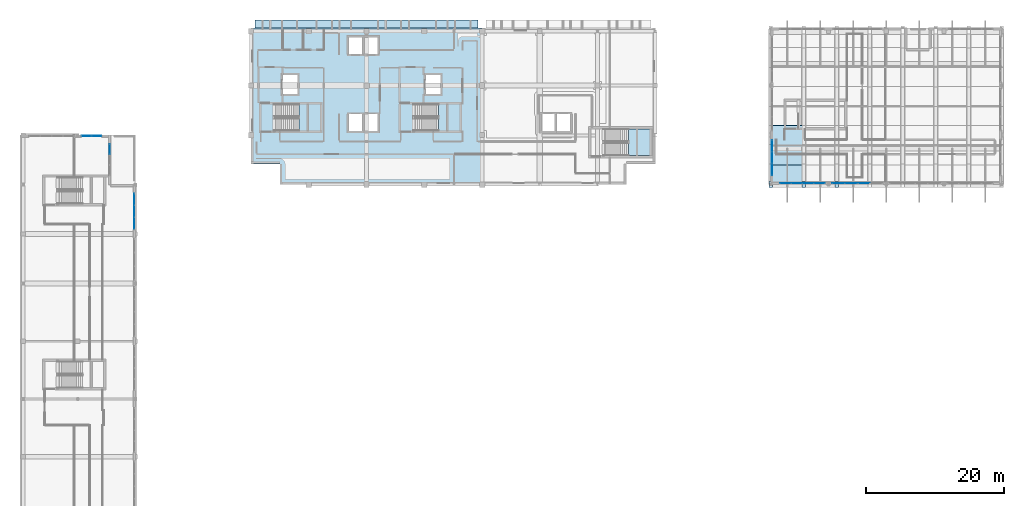
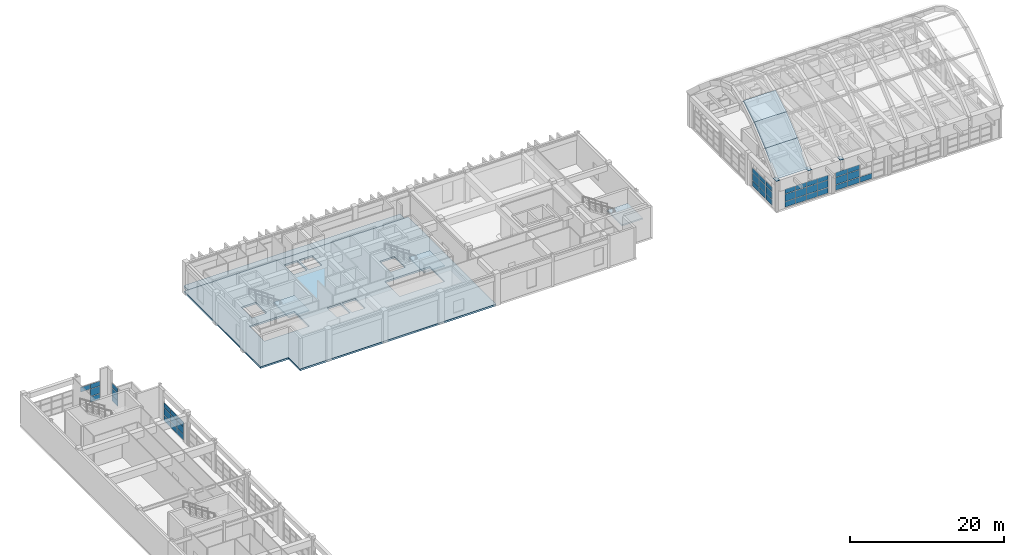
# One storey, part 57 of 78: 47 plates, 8 slabs, 9 elements without a shape of their own.
"""IFC4 building model written with IfcOpenShell, lengths in metres."""

from ifc_helpers import new_model, si_unit, direction, frame, origin, origin_2d, place, context, subcontext, project, spatial, polyline, rectangle, outline, extrude, material, layer, layer_set, type_object, element, aggregate, save


model = new_model("IFC4")

# Units and contexts
model_context = context("Model", 3, precision=1e-05, world=origin(), true_north=direction((0.0, 1.0)))
body_context = subcontext(model_context, "Body", "Model", "MODEL_VIEW")
ifc_project = project(units=[si_unit("LENGTHUNIT", "METRE"), si_unit("AREAUNIT", "SQUARE_METRE"), si_unit("VOLUMEUNIT", "CUBIC_METRE"), si_unit("PLANEANGLEUNIT", "RADIAN"), si_unit("MASSUNIT", "GRAM", prefix="KILO")], contexts=[model_context])

# Site, building, storey
site_placement = place(None, origin())
site = spatial("IfcSite", under=ifc_project, at=site_placement, CompositionType="ELEMENT")
building_placement = place(site_placement, origin())
building = spatial("IfcBuilding", under=site, at=building_placement, Name="Quendrovan Civic Courthouse", CompositionType="ELEMENT")
storey_placement = place(building_placement, frame((0.0, 0.0, 20.39990234375)))
storey = spatial("IfcBuildingStorey", under=building, at=storey_placement, Name="L05", CompositionType="ELEMENT", Elevation=20.39990234375)

# Curtain wall, plates
ifc_material_1 = material(Name="Bronze anodised aluminium and low-E glass", Category="aluminium")
ifc_layer_1 = layer(ifc_material_1, 0.179931640625, Name="Bronze anodised aluminium and low-E glass")
ifc_layer_set_1 = layer_set([ifc_layer_1], Name="Bronze anodised aluminium and low-E glass")
curtain_wall_type_1 = type_object("IfcCurtainWallType", Name="CW-U46x30", PredefinedType="USERDEFINED", material=ifc_layer_set_1)
curtain_wall_1_placement = place(storey_placement, origin())
curtain_wall_1 = element("IfcCurtainWall", 1, at=curtain_wall_1_placement, inside=storey, type_object=curtain_wall_type_1, Name="L05 Unitised Hurricane Curtain Wall CW-180", ObjectType="UNITISED CURTAIN WALL", PredefinedType="USERDEFINED")
ifc_material_2 = material(Name="Laminated hurricane-impact low-E glass", Category="glass")
ifc_layer_2 = layer(ifc_material_2, 0.028076171875, Name="Laminated hurricane-impact low-E glass")
ifc_layer_set_2 = layer_set([ifc_layer_2], Name="Laminated hurricane-impact low-E glass")
plate_type_1 = type_object("IfcPlateType", Name="CW-PNL-1", PredefinedType="CURTAIN_PANEL", material=ifc_layer_set_2)
plate_1_placement = place(storey_placement, frame((13.034912109375, 92.7158203125, 0.0703125), z_axis=(0.0, 0.0, 1.0), x_axis=(0.0, -1.0, 0.0)))
plate_1 = element("IfcPlate", 2, at=plate_1_placement, type_object=plate_type_1, Name="CW-180 panel 1.1", PredefinedType="CURTAIN_PANEL", context=body_context, shape_type="SweptSolid", body=[
    extrude(rectangle(XDim=1.42822265625, YDim=0.028076171875, at=origin_2d()), origin(), (0.0, 0.0, 1.0), 0.844970703125),
])
plate_2_placement = place(storey_placement, frame((13.034912109375, 92.7158203125, 0.985107421875), z_axis=(0.0, 0.0, 1.0), x_axis=(0.0, -1.0, 0.0)))
plate_2 = element("IfcPlate", 3, at=plate_2_placement, type_object=plate_type_1, Name="CW-180 panel 1.2", PredefinedType="CURTAIN_PANEL", context=body_context, shape_type="SweptSolid", body=[
    extrude(rectangle(XDim=1.42822265625, YDim=0.028076171875, at=origin_2d()), origin(), (0.0, 0.0, 1.0), 1.1298828125),
])
plate_3_placement = place(storey_placement, frame((13.034912109375, 92.7158203125, 2.18505859375), z_axis=(0.0, 0.0, 1.0), x_axis=(0.0, -1.0, 0.0)))
plate_3 = element("IfcPlate", 4, at=plate_3_placement, type_object=plate_type_1, Name="CW-180 panel 1.3", PredefinedType="CURTAIN_PANEL", context=body_context, shape_type="SweptSolid", body=[
    extrude(rectangle(XDim=1.42822265625, YDim=0.028076171875, at=origin_2d()), origin(), (0.0, 0.0, 1.0), 0.735107421875),
])
aggregate(curtain_wall_1, [plate_1, plate_2, plate_3])

ifc_layer_3 = layer(ifc_material_1, 0.179931640625, Name="Bronze anodised aluminium and low-E glass")
ifc_layer_set_3 = layer_set([ifc_layer_3], Name="Bronze anodised aluminium and low-E glass")
curtain_wall_type_2 = type_object("IfcCurtainWallType", Name="CW-U74x30", PredefinedType="USERDEFINED", material=ifc_layer_set_3)
curtain_wall_2_placement = place(storey_placement, origin())
curtain_wall_2 = element("IfcCurtainWall", 5, at=curtain_wall_2_placement, inside=storey, type_object=curtain_wall_type_2, Name="L05 Unitised Hurricane Curtain Wall CW-200", ObjectType="UNITISED CURTAIN WALL", PredefinedType="USERDEFINED")
plate_4_placement = place(storey_placement, frame((122.72509765625, 87.764892578125, 0.0703125), z_axis=(0.0, 0.0, 1.0), x_axis=(-1.0, 0.0, 0.0)))
plate_4 = element("IfcPlate", 6, at=plate_4_placement, type_object=plate_type_1, Name="CW-200 panel 2.1", PredefinedType="CURTAIN_PANEL", context=body_context, shape_type="SweptSolid", body=[
    extrude(rectangle(XDim=1.780029296875, YDim=0.028076171875, at=origin_2d()), origin(), (0.0, 0.0, 1.0), 0.844970703125),
])
plate_5_placement = place(storey_placement, frame((120.875, 87.764892578125, 0.0703125), z_axis=(0.0, 0.0, 1.0), x_axis=(-1.0, 0.0, 0.0)))
plate_5 = element("IfcPlate", 7, at=plate_5_placement, type_object=plate_type_1, Name="CW-200 panel 3.1", PredefinedType="CURTAIN_PANEL", context=body_context, shape_type="SweptSolid", body=[
    extrude(rectangle(XDim=1.780029296875, YDim=0.028076171875, at=origin_2d()), origin(), (0.0, 0.0, 1.0), 0.844970703125),
])
plate_6_placement = place(storey_placement, frame((120.875, 87.764892578125, 0.985107421875), z_axis=(0.0, 0.0, 1.0), x_axis=(-1.0, 0.0, 0.0)))
plate_6 = element("IfcPlate", 8, at=plate_6_placement, type_object=plate_type_1, Name="CW-200 panel 3.2", PredefinedType="CURTAIN_PANEL", context=body_context, shape_type="SweptSolid", body=[
    extrude(rectangle(XDim=1.780029296875, YDim=0.028076171875, at=origin_2d()), origin(), (0.0, 0.0, 1.0), 1.1298828125),
])
plate_7_placement = place(storey_placement, frame((120.875, 87.764892578125, 2.18505859375), z_axis=(0.0, 0.0, 1.0), x_axis=(-1.0, 0.0, 0.0)))
plate_7 = element("IfcPlate", 9, at=plate_7_placement, type_object=plate_type_1, Name="CW-200 panel 3.3", PredefinedType="CURTAIN_PANEL", context=body_context, shape_type="SweptSolid", body=[
    extrude(rectangle(XDim=1.780029296875, YDim=0.028076171875, at=origin_2d()), origin(), (0.0, 0.0, 1.0), 0.735107421875),
])
plate_8_placement = place(storey_placement, frame((119.04248046875, 87.764892578125, 0.0703125), z_axis=(0.0, 0.0, 1.0), x_axis=(-1.0, 0.0, 0.0)))
plate_8 = element("IfcPlate", 10, at=plate_8_placement, type_object=plate_type_1, Name="CW-200 panel 4.1", PredefinedType="CURTAIN_PANEL", context=body_context, shape_type="SweptSolid", body=[
    extrude(rectangle(XDim=1.7451171875, YDim=0.028076171875, at=origin_2d()), origin(), (0.0, 0.0, 1.0), 0.844970703125),
])
plate_9_placement = place(storey_placement, frame((119.04248046875, 87.764892578125, 0.985107421875), z_axis=(0.0, 0.0, 1.0), x_axis=(-1.0, 0.0, 0.0)))
plate_9 = element("IfcPlate", 11, at=plate_9_placement, type_object=plate_type_1, Name="CW-200 panel 4.2", PredefinedType="CURTAIN_PANEL", context=body_context, shape_type="SweptSolid", body=[
    extrude(rectangle(XDim=1.7451171875, YDim=0.028076171875, at=origin_2d()), origin(), (0.0, 0.0, 1.0), 1.1298828125),
])
plate_10_placement = place(storey_placement, frame((119.04248046875, 87.764892578125, 2.18505859375), z_axis=(0.0, 0.0, 1.0), x_axis=(-1.0, 0.0, 0.0)))
plate_10 = element("IfcPlate", 12, at=plate_10_placement, type_object=plate_type_1, Name="CW-200 panel 4.3", PredefinedType="CURTAIN_PANEL", context=body_context, shape_type="SweptSolid", body=[
    extrude(rectangle(XDim=1.7451171875, YDim=0.028076171875, at=origin_2d()), origin(), (0.0, 0.0, 1.0), 0.735107421875),
])
aggregate(curtain_wall_2, [plate_4, plate_5, plate_6, plate_7, plate_8, plate_9, plate_10])

ifc_layer_4 = layer(ifc_material_1, 0.179931640625, Name="Bronze anodised aluminium and low-E glass")
ifc_layer_set_4 = layer_set([ifc_layer_4], Name="Bronze anodised aluminium and low-E glass")
curtain_wall_type_3 = type_object("IfcCurtainWallType", Name="CW-U52x30", PredefinedType="USERDEFINED", material=ifc_layer_set_4)
curtain_wall_3_placement = place(storey_placement, origin())
curtain_wall_3 = element("IfcCurtainWall", 13, at=curtain_wall_3_placement, inside=storey, type_object=curtain_wall_type_3, Name="L05 Unitised Hurricane Curtain Wall CW-181", ObjectType="UNITISED CURTAIN WALL", PredefinedType="USERDEFINED")
ifc_layer_5 = layer(ifc_material_2, 0.031982421875, Name="Laminated hurricane-impact low-E glass")
ifc_layer_set_5 = layer_set([ifc_layer_5], Name="Laminated hurricane-impact low-E glass")
plate_type_2 = type_object("IfcPlateType", Name="CW-PNL-2", PredefinedType="CURTAIN_PANEL", material=ifc_layer_set_5)
plate_11_placement = place(storey_placement, frame((16.635009765625, 85.412841796875, 0.065185546875), z_axis=(0.0, 0.0, 1.0), x_axis=(0.0, -1.0, 0.0)))
plate_11 = element("IfcPlate", 14, at=plate_11_placement, type_object=plate_type_2, Name="CW-181 panel 1.1", PredefinedType="CURTAIN_PANEL", context=body_context, shape_type="SweptSolid", body=[
    extrude(rectangle(XDim=1.644287109375, YDim=0.031982421875, at=origin_2d()), origin(), (0.0, 0.0, 1.0), 0.8525390625),
])
plate_12_placement = place(storey_placement, frame((16.635009765625, 85.412841796875, 0.982421875), z_axis=(0.0, 0.0, 1.0), x_axis=(0.0, -1.0, 0.0)))
plate_12 = element("IfcPlate", 15, at=plate_12_placement, type_object=plate_type_2, Name="CW-181 panel 1.2", PredefinedType="CURTAIN_PANEL", context=body_context, shape_type="SweptSolid", body=[
    extrude(rectangle(XDim=1.644287109375, YDim=0.031982421875, at=origin_2d()), origin(), (0.0, 0.0, 1.0), 1.135009765625),
])
plate_13_placement = place(storey_placement, frame((16.635009765625, 85.412841796875, 2.1826171875), z_axis=(0.0, 0.0, 1.0), x_axis=(0.0, -1.0, 0.0)))
plate_13 = element("IfcPlate", 16, at=plate_13_placement, type_object=plate_type_2, Name="CW-181 panel 1.3", PredefinedType="CURTAIN_PANEL", context=body_context, shape_type="SweptSolid", body=[
    extrude(rectangle(XDim=1.644287109375, YDim=0.031982421875, at=origin_2d()), origin(), (0.0, 0.0, 1.0), 0.742431640625),
])
plate_14_placement = place(storey_placement, frame((16.635009765625, 83.6875, 0.065185546875), z_axis=(0.0, 0.0, 1.0), x_axis=(0.0, -1.0, 0.0)))
plate_14 = element("IfcPlate", 17, at=plate_14_placement, type_object=plate_type_2, Name="CW-181 panel 2.1", PredefinedType="CURTAIN_PANEL", context=body_context, shape_type="SweptSolid", body=[
    extrude(rectangle(XDim=1.6767578125, YDim=0.031982421875, at=origin_2d()), origin(), (0.0, 0.0, 1.0), 0.8525390625),
])
plate_15_placement = place(storey_placement, frame((16.635009765625, 83.6875, 0.982421875), z_axis=(0.0, 0.0, 1.0), x_axis=(0.0, -1.0, 0.0)))
plate_15 = element("IfcPlate", 18, at=plate_15_placement, type_object=plate_type_2, Name="CW-181 panel 2.2", PredefinedType="CURTAIN_PANEL", context=body_context, shape_type="SweptSolid", body=[
    extrude(rectangle(XDim=1.6767578125, YDim=0.031982421875, at=origin_2d()), origin(), (0.0, 0.0, 1.0), 1.135009765625),
])
plate_16_placement = place(storey_placement, frame((16.635009765625, 83.6875, 2.1826171875), z_axis=(0.0, 0.0, 1.0), x_axis=(0.0, -1.0, 0.0)))
plate_16 = element("IfcPlate", 19, at=plate_16_placement, type_object=plate_type_2, Name="CW-181 panel 2.3", PredefinedType="CURTAIN_PANEL", context=body_context, shape_type="SweptSolid", body=[
    extrude(rectangle(XDim=1.6767578125, YDim=0.031982421875, at=origin_2d()), origin(), (0.0, 0.0, 1.0), 0.742431640625),
])
plate_17_placement = place(storey_placement, frame((16.635009765625, 81.962158203125, 0.065185546875), z_axis=(0.0, 0.0, 1.0), x_axis=(0.0, -1.0, 0.0)))
plate_17 = element("IfcPlate", 20, at=plate_17_placement, type_object=plate_type_2, Name="CW-181 panel 3.1", PredefinedType="CURTAIN_PANEL", context=body_context, shape_type="SweptSolid", body=[
    extrude(rectangle(XDim=1.644287109375, YDim=0.031982421875, at=origin_2d()), origin(), (0.0, 0.0, 1.0), 0.8525390625),
])
plate_18_placement = place(storey_placement, frame((16.635009765625, 81.962158203125, 0.982421875), z_axis=(0.0, 0.0, 1.0), x_axis=(0.0, -1.0, 0.0)))
plate_18 = element("IfcPlate", 21, at=plate_18_placement, type_object=plate_type_2, Name="CW-181 panel 3.2", PredefinedType="CURTAIN_PANEL", context=body_context, shape_type="SweptSolid", body=[
    extrude(rectangle(XDim=1.644287109375, YDim=0.031982421875, at=origin_2d()), origin(), (0.0, 0.0, 1.0), 1.135009765625),
])
plate_19_placement = place(storey_placement, frame((16.635009765625, 81.962158203125, 2.1826171875), z_axis=(0.0, 0.0, 1.0), x_axis=(0.0, -1.0, 0.0)))
plate_19 = element("IfcPlate", 22, at=plate_19_placement, type_object=plate_type_2, Name="CW-181 panel 3.3", PredefinedType="CURTAIN_PANEL", context=body_context, shape_type="SweptSolid", body=[
    extrude(rectangle(XDim=1.644287109375, YDim=0.031982421875, at=origin_2d()), origin(), (0.0, 0.0, 1.0), 0.742431640625),
])
aggregate(curtain_wall_3, [plate_11, plate_12, plate_13, plate_14, plate_15, plate_16, plate_17, plate_18, plate_19])

ifc_layer_6 = layer(ifc_material_1, 0.179931640625, Name="Bronze anodised aluminium and low-E glass")
ifc_layer_set_6 = layer_set([ifc_layer_6], Name="Bronze anodised aluminium and low-E glass")
curtain_wall_type_4 = type_object("IfcCurtainWallType", Name="CW-U66x30", PredefinedType="USERDEFINED", material=ifc_layer_set_6)
curtain_wall_4_placement = place(storey_placement, origin())
curtain_wall_4 = element("IfcCurtainWall", 23, at=curtain_wall_4_placement, inside=storey, type_object=curtain_wall_type_4, Name="L05 Unitised Hurricane Curtain Wall CW-201", ObjectType="UNITISED CURTAIN WALL", PredefinedType="USERDEFINED")
plate_20_placement = place(storey_placement, frame((116.2587890625, 87.764892578125, 0.065185546875), z_axis=(0.0, 0.0, 1.0), x_axis=(-1.0, 0.0, 0.0)))
plate_20 = element("IfcPlate", 24, at=plate_20_placement, type_object=plate_type_2, Name="CW-201 panel 1.1", PredefinedType="CURTAIN_PANEL", context=body_context, shape_type="SweptSolid", body=[
    extrude(rectangle(XDim=1.552490234375, YDim=0.031982421875, at=origin_2d()), origin(), (0.0, 0.0, 1.0), 0.8525390625),
])
plate_21_placement = place(storey_placement, frame((116.2587890625, 87.764892578125, 0.982421875), z_axis=(0.0, 0.0, 1.0), x_axis=(-1.0, 0.0, 0.0)))
plate_21 = element("IfcPlate", 25, at=plate_21_placement, type_object=plate_type_2, Name="CW-201 panel 1.2", PredefinedType="CURTAIN_PANEL", context=body_context, shape_type="SweptSolid", body=[
    extrude(rectangle(XDim=1.552490234375, YDim=0.031982421875, at=origin_2d()), origin(), (0.0, 0.0, 1.0), 1.135009765625),
])
plate_22_placement = place(storey_placement, frame((116.2587890625, 87.764892578125, 2.1826171875), z_axis=(0.0, 0.0, 1.0), x_axis=(-1.0, 0.0, 0.0)))
plate_22 = element("IfcPlate", 26, at=plate_22_placement, type_object=plate_type_2, Name="CW-201 panel 1.3", PredefinedType="CURTAIN_PANEL", context=body_context, shape_type="SweptSolid", body=[
    extrude(rectangle(XDim=1.552490234375, YDim=0.031982421875, at=origin_2d()), origin(), (0.0, 0.0, 1.0), 0.742431640625),
])
plate_23_placement = place(storey_placement, frame((114.625, 87.764892578125, 0.065185546875), z_axis=(0.0, 0.0, 1.0), x_axis=(-1.0, 0.0, 0.0)))
plate_23 = element("IfcPlate", 27, at=plate_23_placement, type_object=plate_type_2, Name="CW-201 panel 2.1", PredefinedType="CURTAIN_PANEL", context=body_context, shape_type="SweptSolid", body=[
    extrude(rectangle(XDim=1.5849609375, YDim=0.031982421875, at=origin_2d()), origin(), (0.0, 0.0, 1.0), 0.8525390625),
])
plate_24_placement = place(storey_placement, frame((114.625, 87.764892578125, 0.982421875), z_axis=(0.0, 0.0, 1.0), x_axis=(-1.0, 0.0, 0.0)))
plate_24 = element("IfcPlate", 28, at=plate_24_placement, type_object=plate_type_2, Name="CW-201 panel 2.2", PredefinedType="CURTAIN_PANEL", context=body_context, shape_type="SweptSolid", body=[
    extrude(rectangle(XDim=1.5849609375, YDim=0.031982421875, at=origin_2d()), origin(), (0.0, 0.0, 1.0), 1.135009765625),
])
plate_25_placement = place(storey_placement, frame((114.625, 87.764892578125, 2.1826171875), z_axis=(0.0, 0.0, 1.0), x_axis=(-1.0, 0.0, 0.0)))
plate_25 = element("IfcPlate", 29, at=plate_25_placement, type_object=plate_type_2, Name="CW-201 panel 2.3", PredefinedType="CURTAIN_PANEL", context=body_context, shape_type="SweptSolid", body=[
    extrude(rectangle(XDim=1.5849609375, YDim=0.031982421875, at=origin_2d()), origin(), (0.0, 0.0, 1.0), 0.742431640625),
])
plate_26_placement = place(storey_placement, frame((112.97509765625, 87.764892578125, 0.065185546875), z_axis=(0.0, 0.0, 1.0), x_axis=(-1.0, 0.0, 0.0)))
plate_26 = element("IfcPlate", 30, at=plate_26_placement, type_object=plate_type_2, Name="CW-201 panel 3.1", PredefinedType="CURTAIN_PANEL", context=body_context, shape_type="SweptSolid", body=[
    extrude(rectangle(XDim=1.5849609375, YDim=0.031982421875, at=origin_2d()), origin(), (0.0, 0.0, 1.0), 0.8525390625),
])
plate_27_placement = place(storey_placement, frame((112.97509765625, 87.764892578125, 0.982421875), z_axis=(0.0, 0.0, 1.0), x_axis=(-1.0, 0.0, 0.0)))
plate_27 = element("IfcPlate", 31, at=plate_27_placement, type_object=plate_type_2, Name="CW-201 panel 3.2", PredefinedType="CURTAIN_PANEL", context=body_context, shape_type="SweptSolid", body=[
    extrude(rectangle(XDim=1.5849609375, YDim=0.031982421875, at=origin_2d()), origin(), (0.0, 0.0, 1.0), 1.135009765625),
])
plate_28_placement = place(storey_placement, frame((112.97509765625, 87.764892578125, 2.1826171875), z_axis=(0.0, 0.0, 1.0), x_axis=(-1.0, 0.0, 0.0)))
plate_28 = element("IfcPlate", 32, at=plate_28_placement, type_object=plate_type_2, Name="CW-201 panel 3.3", PredefinedType="CURTAIN_PANEL", context=body_context, shape_type="SweptSolid", body=[
    extrude(rectangle(XDim=1.5849609375, YDim=0.031982421875, at=origin_2d()), origin(), (0.0, 0.0, 1.0), 0.742431640625),
])
plate_29_placement = place(storey_placement, frame((111.34130859375, 87.764892578125, 0.065185546875), z_axis=(0.0, 0.0, 1.0), x_axis=(-1.0, 0.0, 0.0)))
plate_29 = element("IfcPlate", 33, at=plate_29_placement, type_object=plate_type_2, Name="CW-201 panel 4.1", PredefinedType="CURTAIN_PANEL", context=body_context, shape_type="SweptSolid", body=[
    extrude(rectangle(XDim=1.552490234375, YDim=0.031982421875, at=origin_2d()), origin(), (0.0, 0.0, 1.0), 0.8525390625),
])
plate_30_placement = place(storey_placement, frame((111.34130859375, 87.764892578125, 0.982421875), z_axis=(0.0, 0.0, 1.0), x_axis=(-1.0, 0.0, 0.0)))
plate_30 = element("IfcPlate", 34, at=plate_30_placement, type_object=plate_type_2, Name="CW-201 panel 4.2", PredefinedType="CURTAIN_PANEL", context=body_context, shape_type="SweptSolid", body=[
    extrude(rectangle(XDim=1.552490234375, YDim=0.031982421875, at=origin_2d()), origin(), (0.0, 0.0, 1.0), 1.135009765625),
])
plate_31_placement = place(storey_placement, frame((111.34130859375, 87.764892578125, 2.1826171875), z_axis=(0.0, 0.0, 1.0), x_axis=(-1.0, 0.0, 0.0)))
plate_31 = element("IfcPlate", 35, at=plate_31_placement, type_object=plate_type_2, Name="CW-201 panel 4.3", PredefinedType="CURTAIN_PANEL", context=body_context, shape_type="SweptSolid", body=[
    extrude(rectangle(XDim=1.552490234375, YDim=0.031982421875, at=origin_2d()), origin(), (0.0, 0.0, 1.0), 0.742431640625),
])
aggregate(curtain_wall_4, [plate_20, plate_21, plate_22, plate_23, plate_24, plate_25, plate_26, plate_27, plate_28, plate_29, plate_30, plate_31])

curtain_wall_5_placement = place(storey_placement, origin())
curtain_wall_5 = element("IfcCurtainWall", 36, at=curtain_wall_5_placement, inside=storey, type_object=curtain_wall_type_3, Name="L05 Unitised Hurricane Curtain Wall CW-202", ObjectType="UNITISED CURTAIN WALL", PredefinedType="USERDEFINED")
ifc_layer_7 = layer(ifc_material_2, 0.035888671875, Name="Laminated hurricane-impact low-E glass")
ifc_layer_set_7 = layer_set([ifc_layer_7], Name="Laminated hurricane-impact low-E glass")
plate_type_3 = type_object("IfcPlateType", Name="CW-PNL-3", PredefinedType="CURTAIN_PANEL", material=ifc_layer_set_7)
plate_32_placement = place(storey_placement, frame((109.364990234375, 89.788330078125, 0.0703125), z_axis=(0.0, 0.0, 1.0), x_axis=(0.0, 1.0, 0.0)))
plate_32 = element("IfcPlate", 37, at=plate_32_placement, type_object=plate_type_3, Name="CW-202 panel 1.1", PredefinedType="CURTAIN_PANEL", context=body_context, shape_type="SweptSolid", body=[
    extrude(rectangle(XDim=1.63671875, YDim=0.035888671875, at=origin_2d()), origin(), (0.0, 0.0, 1.0), 0.844970703125),
])
plate_33_placement = place(storey_placement, frame((109.364990234375, 89.788330078125, 0.985107421875), z_axis=(0.0, 0.0, 1.0), x_axis=(0.0, 1.0, 0.0)))
plate_33 = element("IfcPlate", 38, at=plate_33_placement, type_object=plate_type_3, Name="CW-202 panel 1.2", PredefinedType="CURTAIN_PANEL", context=body_context, shape_type="SweptSolid", body=[
    extrude(rectangle(XDim=1.63671875, YDim=0.035888671875, at=origin_2d()), origin(), (0.0, 0.0, 1.0), 1.1298828125),
])
plate_34_placement = place(storey_placement, frame((109.364990234375, 89.788330078125, 2.18505859375), z_axis=(0.0, 0.0, 1.0), x_axis=(0.0, 1.0, 0.0)))
plate_34 = element("IfcPlate", 39, at=plate_34_placement, type_object=plate_type_3, Name="CW-202 panel 1.3", PredefinedType="CURTAIN_PANEL", context=body_context, shape_type="SweptSolid", body=[
    extrude(rectangle(XDim=1.63671875, YDim=0.035888671875, at=origin_2d()), origin(), (0.0, 0.0, 1.0), 0.735107421875),
])
plate_35_placement = place(storey_placement, frame((109.364990234375, 91.512451171875, 0.0703125), z_axis=(0.0, 0.0, 1.0), x_axis=(0.0, 1.0, 0.0)))
plate_35 = element("IfcPlate", 40, at=plate_35_placement, type_object=plate_type_3, Name="CW-202 panel 2.1", PredefinedType="CURTAIN_PANEL", context=body_context, shape_type="SweptSolid", body=[
    extrude(rectangle(XDim=1.671630859375, YDim=0.035888671875, at=origin_2d()), origin(), (0.0, 0.0, 1.0), 0.844970703125),
])
plate_36_placement = place(storey_placement, frame((109.364990234375, 91.512451171875, 0.985107421875), z_axis=(0.0, 0.0, 1.0), x_axis=(0.0, 1.0, 0.0)))
plate_36 = element("IfcPlate", 41, at=plate_36_placement, type_object=plate_type_3, Name="CW-202 panel 2.2", PredefinedType="CURTAIN_PANEL", context=body_context, shape_type="SweptSolid", body=[
    extrude(rectangle(XDim=1.671630859375, YDim=0.035888671875, at=origin_2d()), origin(), (0.0, 0.0, 1.0), 1.1298828125),
])
plate_37_placement = place(storey_placement, frame((109.364990234375, 91.512451171875, 2.18505859375), z_axis=(0.0, 0.0, 1.0), x_axis=(0.0, 1.0, 0.0)))
plate_37 = element("IfcPlate", 42, at=plate_37_placement, type_object=plate_type_3, Name="CW-202 panel 2.3", PredefinedType="CURTAIN_PANEL", context=body_context, shape_type="SweptSolid", body=[
    extrude(rectangle(XDim=1.671630859375, YDim=0.035888671875, at=origin_2d()), origin(), (0.0, 0.0, 1.0), 0.735107421875),
])
plate_38_placement = place(storey_placement, frame((109.364990234375, 93.236572265625, 0.0703125), z_axis=(0.0, 0.0, 1.0), x_axis=(0.0, 1.0, 0.0)))
plate_38 = element("IfcPlate", 43, at=plate_38_placement, type_object=plate_type_3, Name="CW-202 panel 3.1", PredefinedType="CURTAIN_PANEL", context=body_context, shape_type="SweptSolid", body=[
    extrude(rectangle(XDim=1.63671875, YDim=0.035888671875, at=origin_2d()), origin(), (0.0, 0.0, 1.0), 0.844970703125),
])
plate_39_placement = place(storey_placement, frame((109.364990234375, 93.236572265625, 0.985107421875), z_axis=(0.0, 0.0, 1.0), x_axis=(0.0, 1.0, 0.0)))
plate_39 = element("IfcPlate", 44, at=plate_39_placement, type_object=plate_type_3, Name="CW-202 panel 3.2", PredefinedType="CURTAIN_PANEL", context=body_context, shape_type="SweptSolid", body=[
    extrude(rectangle(XDim=1.63671875, YDim=0.035888671875, at=origin_2d()), origin(), (0.0, 0.0, 1.0), 1.1298828125),
])
plate_40_placement = place(storey_placement, frame((109.364990234375, 93.236572265625, 2.18505859375), z_axis=(0.0, 0.0, 1.0), x_axis=(0.0, 1.0, 0.0)))
plate_40 = element("IfcPlate", 45, at=plate_40_placement, type_object=plate_type_3, Name="CW-202 panel 3.3", PredefinedType="CURTAIN_PANEL", context=body_context, shape_type="SweptSolid", body=[
    extrude(rectangle(XDim=1.63671875, YDim=0.035888671875, at=origin_2d()), origin(), (0.0, 0.0, 1.0), 0.735107421875),
])
aggregate(curtain_wall_5, [plate_32, plate_33, plate_34, plate_35, plate_36, plate_37, plate_38, plate_39, plate_40])

ifc_layer_8 = layer(ifc_material_1, 0.179931640625, Name="Bronze anodised aluminium and low-E glass")
ifc_layer_set_8 = layer_set([ifc_layer_8], Name="Bronze anodised aluminium and low-E glass")
curtain_wall_type_5 = type_object("IfcCurtainWallType", Name="CW-U30x30", PredefinedType="USERDEFINED", material=ifc_layer_set_8)
curtain_wall_6_placement = place(storey_placement, origin())
curtain_wall_6 = element("IfcCurtainWall", 46, at=curtain_wall_6_placement, inside=storey, type_object=curtain_wall_type_5, Name="L05 Unitised Hurricane Curtain Wall CW-191", ObjectType="UNITISED CURTAIN WALL", PredefinedType="USERDEFINED")
ifc_layer_9 = layer(ifc_material_2, 0.0419921875, Name="Laminated hurricane-impact low-E glass")
ifc_layer_set_9 = layer_set([ifc_layer_9], Name="Laminated hurricane-impact low-E glass")
plate_type_4 = type_object("IfcPlateType", Name="CW-PNL-4", PredefinedType="CURTAIN_PANEL", material=ifc_layer_set_9)
plate_41_placement = place(storey_placement, frame((9.666259765625, 94.635009765625, 2.1826171875), z_axis=(0.0, 0.0, 1.0), x_axis=(1.0, 0.0, 0.0)))
plate_41 = element("IfcPlate", 47, at=plate_41_placement, type_object=plate_type_4, Name="CW-191 panel 1.3", PredefinedType="CURTAIN_PANEL", context=body_context, shape_type="SweptSolid", body=[
    extrude(rectangle(XDim=1.402587890625, YDim=0.0419921875, at=origin_2d()), origin(), (0.0, 0.0, 1.0), 0.742431640625),
])
plate_42_placement = place(storey_placement, frame((11.1337890625, 94.635009765625, 0.065185546875), z_axis=(0.0, 0.0, 1.0), x_axis=(1.0, 0.0, 0.0)))
plate_42 = element("IfcPlate", 48, at=plate_42_placement, type_object=plate_type_4, Name="CW-191 panel 2.1", PredefinedType="CURTAIN_PANEL", context=body_context, shape_type="SweptSolid", body=[
    extrude(rectangle(XDim=1.402587890625, YDim=0.0419921875, at=origin_2d()), origin(), (0.0, 0.0, 1.0), 0.8525390625),
])
plate_43_placement = place(storey_placement, frame((11.1337890625, 94.635009765625, 0.982421875), z_axis=(0.0, 0.0, 1.0), x_axis=(1.0, 0.0, 0.0)))
plate_43 = element("IfcPlate", 49, at=plate_43_placement, type_object=plate_type_4, Name="CW-191 panel 2.2", PredefinedType="CURTAIN_PANEL", context=body_context, shape_type="SweptSolid", body=[
    extrude(rectangle(XDim=1.402587890625, YDim=0.0419921875, at=origin_2d()), origin(), (0.0, 0.0, 1.0), 1.135009765625),
])
plate_44_placement = place(storey_placement, frame((11.1337890625, 94.635009765625, 2.1826171875), z_axis=(0.0, 0.0, 1.0), x_axis=(1.0, 0.0, 0.0)))
plate_44 = element("IfcPlate", 50, at=plate_44_placement, type_object=plate_type_4, Name="CW-191 panel 2.3", PredefinedType="CURTAIN_PANEL", context=body_context, shape_type="SweptSolid", body=[
    extrude(rectangle(XDim=1.402587890625, YDim=0.0419921875, at=origin_2d()), origin(), (0.0, 0.0, 1.0), 0.742431640625),
])
aggregate(curtain_wall_6, [plate_41, plate_42, plate_43, plate_44])

# Plates
ifc_material_3 = material(Name="Steel ASTM A572 Grade 50", Category="steel")
ifc_layer_10 = layer(ifc_material_3, 0.0400390625, Name="Steel ASTM A572 Grade 50")
ifc_layer_set_10 = layer_set([ifc_layer_10], Name="Steel ASTM A572 Grade 50")
plate_type_5 = type_object("IfcPlateType", Name="PLT-BASE-40", PredefinedType="USERDEFINED", material=ifc_layer_set_10)
for number, where, z_axis, x_axis, name in (
    (51, (109.199951171875, 87.60009765625, 5.06005859375), (0.0, 0.0, 1.0), (1.0, 0.0, 0.0), "BV1 Vault Springing Bearing Plate A1-S"),
    (52, (114.0, 87.60009765625, 5.06005859375), (0.0, 0.0, 1.0), (1.0, 0.0, 0.0), "BV1 Vault Springing Bearing Plate A2-S"),
    (53, (118.800048828125, 87.60009765625, 5.06005859375), (0.0, 0.0, 1.0), (1.0, 0.0, 0.0), "BV1 Vault Springing Bearing Plate A3-S"),
):
    element("IfcPlate", number, at=place(storey_placement, frame(where, z_axis=z_axis, x_axis=x_axis)), inside=storey, type_object=plate_type_5, Name=name, ObjectType="BASE PLATE", PredefinedType="USERDEFINED", context=body_context, shape_type="SweptSolid", body=[
        extrude(rectangle(XDim=0.550048828125, YDim=0.85009765625, at=origin_2d()), origin(), (0.0, 0.0, 1.0), 0.0400390625),
    ])

# Slabs
ifc_material_4 = material(Name="Precast limestone concrete C45/55", Category="masonry")
ifc_layer_11 = layer(ifc_material_4, 0.419921875, Name="Precast limestone concrete C45/55")
ifc_layer_set_11 = layer_set([ifc_layer_11], Name="Precast limestone concrete C45/55")
slab_type_1 = type_object("IfcSlabType", Name="SLB-LEDGE-420", PredefinedType="FLOOR", material=ifc_layer_set_11)
slab_1_placement = place(storey_placement, frame((0.0, 0.0, -0.419921875)))
element("IfcSlab", 54, at=slab_1_placement, inside=storey, type_object=slab_type_1, Name="L05 Precast Architectural Spandrel Fin Shelf 447-0", PredefinedType="FLOOR", context=body_context, shape_type="SweptSolid", body=[
    extrude(outline(polyline([(34.199951171875, 111.528076171875), (66.60009765625, 111.528076171875), (66.60009765625, 110.3779296875), (34.199951171875, 110.3779296875), (34.199951171875, 111.528076171875)])), origin(), (0.0, 0.0, 1.0), 0.419921875),
])
ifc_material_5 = material(Name="Post-tensioned concrete C50/60", Category="concrete")
ifc_layer_12 = layer(ifc_material_5, 0.280029296875, Name="Post-tensioned concrete C50/60")
ifc_layer_set_12 = layer_set([ifc_layer_12], Name="Post-tensioned concrete C50/60")
slab_type_2 = type_object("IfcSlabType", Name="SLB-PT-280", PredefinedType="FLOOR", material=ifc_layer_set_12)
slab_2_placement = place(storey_placement, frame((0.0, 0.0, -0.27978515625)))
element("IfcSlab", 55, at=slab_2_placement, inside=storey, type_object=slab_type_2, Name="L05 Structural Floor Slab V2W", PredefinedType="FLOOR", context=body_context, shape_type="SweptSolid", body=[
    extrude(outline(polyline([(67.199951171875, 110.39990234375), (67.199951171875, 87.60009765625), (37.800048828125, 87.60009765625), (37.800048828125, 90.60009765625), (33.60009765625, 90.60009765625), (33.60009765625, 110.39990234375), (67.199951171875, 110.39990234375)]), holes=[polyline([(49.800048828125, 97.85009765625), (47.800048828125, 97.85009765625), (47.800048828125, 95.35009765625), (49.800048828125, 95.35009765625), (49.800048828125, 97.85009765625)]), polyline([(52.050048828125, 97.85009765625), (50.050048828125, 97.85009765625), (50.050048828125, 95.35009765625), (52.050048828125, 95.35009765625), (52.050048828125, 97.85009765625)]), polyline([(43.699951171875, 99.280029296875), (36.949951171875, 99.280029296875), (36.949951171875, 95.39990234375), (43.699951171875, 95.39990234375), (43.699951171875, 99.280029296875)]), polyline([(64.0, 99.280029296875), (57.25, 99.280029296875), (57.25, 95.39990234375), (64.0, 95.39990234375), (64.0, 99.280029296875)]), polyline([(40.39990234375, 103.550048828125), (38.199951171875, 103.550048828125), (38.199951171875, 100.75), (40.39990234375, 100.75), (40.39990234375, 103.550048828125)]), polyline([(61.199951171875, 103.550048828125), (59.0, 103.550048828125), (59.0, 100.75), (61.199951171875, 100.75), (61.199951171875, 103.550048828125)]), polyline([(49.800048828125, 109.050048828125), (47.800048828125, 109.050048828125), (47.800048828125, 106.550048828125), (49.800048828125, 106.550048828125), (49.800048828125, 109.050048828125)]), polyline([(52.050048828125, 109.050048828125), (50.050048828125, 109.050048828125), (50.050048828125, 106.550048828125), (52.050048828125, 106.550048828125), (52.050048828125, 109.050048828125)])]), origin(), (0.0, 0.0, 1.0), 0.27978515625),
])

# Stair, slab
ifc_material_6 = material(Name="Concrete C40/50", Category="concrete")
stair_type = type_object("IfcStairType", Name="STR-CORE-5100", PredefinedType="HALF_TURN_STAIR", material=ifc_material_6)
stair_1_placement = place(storey_placement, origin())
stair_1 = element("IfcStair", 56, at=stair_1_placement, inside=storey, type_object=stair_type, Name="L05 West Judicial and Public Exit Stair 1", PredefinedType="HALF_TURN_STAIR")
ifc_layer_13 = layer(ifc_material_6, 0.199951171875, Name="Concrete C40/50")
ifc_layer_set_13 = layer_set([ifc_layer_13], Name="Concrete C40/50")
slab_type_3 = type_object("IfcSlabType", Name="SLB-STAIR-LND200", PredefinedType="LANDING", material=ifc_layer_set_13)
slab_3_placement = place(storey_placement, frame((0.0, 0.0, 2.35009765625)))
slab_3 = element("IfcSlab", 57, at=slab_3_placement, type_object=slab_type_3, Name="ST1 landing 1", PredefinedType="LANDING", context=body_context, shape_type="SweptSolid", body=[
    extrude(outline(polyline([(40.590087890625, 95.39990234375), (43.699951171875, 95.39990234375), (43.699951171875, 99.280029296875), (40.590087890625, 99.280029296875), (40.590087890625, 95.39990234375)])), origin(), (0.0, 0.0, 1.0), 0.199951171875),
])
aggregate(stair_1, [slab_3])

stair_2_placement = place(storey_placement, origin())
stair_2 = element("IfcStair", 58, at=stair_2_placement, inside=storey, type_object=stair_type, Name="L05 Central Judicial and Firefighting Exit Stair 2", PredefinedType="HALF_TURN_STAIR")
slab_4_placement = place(storey_placement, frame((0.0, 0.0, 2.35009765625)))
slab_4 = element("IfcSlab", 59, at=slab_4_placement, type_object=slab_type_3, Name="ST2 landing 1", PredefinedType="LANDING", context=body_context, shape_type="SweptSolid", body=[
    extrude(outline(polyline([(60.889892578125, 95.39990234375), (64.0, 95.39990234375), (64.0, 99.280029296875), (60.889892578125, 99.280029296875), (60.889892578125, 95.39990234375)])), origin(), (0.0, 0.0, 1.0), 0.199951171875),
])
aggregate(stair_2, [slab_4])

stair_3_placement = place(storey_placement, origin())
stair_3 = element("IfcStair", 60, at=stair_3_placement, inside=storey, type_object=stair_type, Name="L05 East Court Block Exit Stair 3", PredefinedType="HALF_TURN_STAIR")
slab_5_placement = place(storey_placement, frame((0.0, 0.0, 2.35009765625)))
slab_5 = element("IfcSlab", 61, at=slab_5_placement, type_object=slab_type_3, Name="ST3 landing 1", PredefinedType="LANDING", context=body_context, shape_type="SweptSolid", body=[
    extrude(outline(polyline([(88.489990234375, 91.800048828125), (91.60009765625, 91.800048828125), (91.60009765625, 95.679931640625), (88.489990234375, 95.679931640625), (88.489990234375, 91.800048828125)])), origin(), (0.0, 0.0, 1.0), 0.199951171875),
])
aggregate(stair_3, [slab_5])

# Slabs
ifc_layer_14 = layer(ifc_material_6, 0.199951171875, Name="Concrete C40/50")
ifc_layer_set_14 = layer_set([ifc_layer_14], Name="Concrete C40/50")
slab_type_4 = type_object("IfcSlabType", Name="SLB-VAULT-200", PredefinedType="ROOF", material=ifc_layer_set_14)
slab_6_placement = place(storey_placement, frame((109.199951171875, 87.60009765625, 5.10009765625), z_axis=(0.0, -0.742291438004, 0.670077175456), x_axis=(1.0, 0.0, 0.0)))
element("IfcSlab", 62, at=slab_6_placement, inside=storey, type_object=slab_type_4, Name="BV1 Concrete Barrel Vault Shell Panel B1-C1", PredefinedType="ROOF", context=body_context, shape_type="SweptSolid", body=[
    extrude(outline(polyline([(0.0, 0.0), (4.800048828125, 0.0), (4.800048828125, 4.253022815897878), (0.0, 4.253022815897878), (0.0, 0.0)])), origin(), (0.0, 0.0, -1.0), 0.199951171875),
])
slab_7_placement = place(storey_placement, frame((109.199951171875, 90.449951171875, 8.257080078125), z_axis=(0.0, -0.647083303495, 0.762419306116), x_axis=(1.0, 0.0, 0.0)))
element("IfcSlab", 63, at=slab_7_placement, inside=storey, type_object=slab_type_4, Name="BV1 Concrete Barrel Vault Shell Panel B1-C2", PredefinedType="ROOF", context=body_context, shape_type="SweptSolid", body=[
    extrude(outline(polyline([(0.0, 0.0), (4.800048828125, 0.0), (4.800048828125, 3.7382286012264507), (0.0, 3.7382286012264507), (0.0, 0.0)])), origin(), (0.0, 0.0, -1.0), 0.199951171875),
])
slab_8_placement = place(storey_placement, frame((109.199951171875, 93.300048828125, 10.676025390625), z_axis=(0.0, -0.508090296154, 0.861303808743), x_axis=(1.0, 0.0, 0.0)))
element("IfcSlab", 64, at=slab_8_placement, inside=storey, type_object=slab_type_4, Name="BV1 Concrete Barrel Vault Shell Panel B1-C3", PredefinedType="ROOF", context=body_context, shape_type="SweptSolid", body=[
    extrude(outline(polyline([(0.0, 0.0), (4.800048828125, 0.0), (4.800048828125, 3.30876687958162), (0.0, 3.30876687958162), (0.0, 0.0)])), origin(), (0.0, 0.0, -1.0), 0.199951171875),
])

save(model, "model.ifc")
